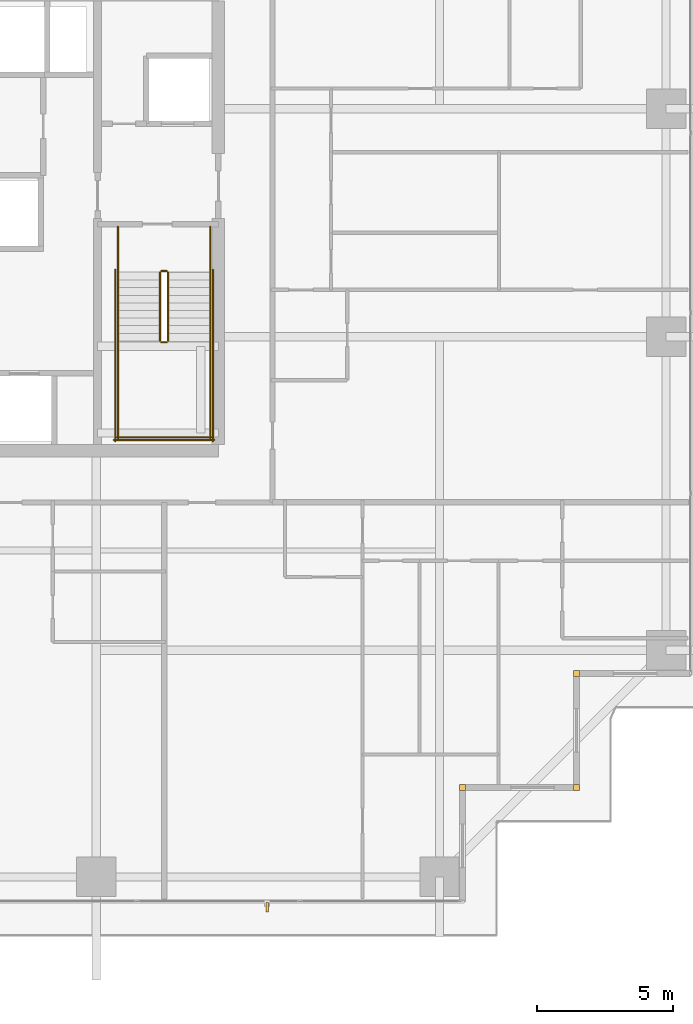
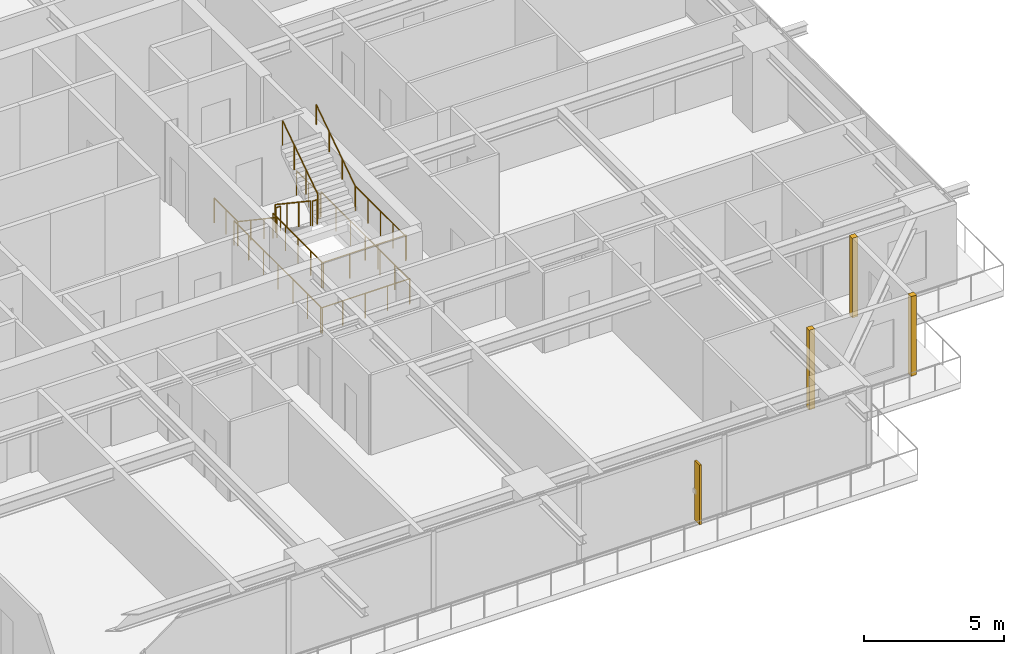
# One storey, part 34 of 36: 14 railings, 3 coverings, 1 shading device.
"""IFC4 building model written with IfcOpenShell, lengths in metres."""

from ifc_helpers import new_model, si_unit, direction, frame, origin, origin_2d, place, context, subcontext, project, spatial, rectangle, circle, extrude, source, transform, mapped, material, layer, layer_set, type_object, element, save


model = new_model("IFC4")

# Units and contexts
model_context = context("Model", 3, precision=1e-05, world=origin(), true_north=direction((0.0, 1.0)))
body_context = subcontext(model_context, "Body", "Model", "MODEL_VIEW")
ifc_project = project(units=[si_unit("LENGTHUNIT", "METRE"), si_unit("AREAUNIT", "SQUARE_METRE"), si_unit("VOLUMEUNIT", "CUBIC_METRE"), si_unit("PLANEANGLEUNIT", "RADIAN"), si_unit("MASSUNIT", "GRAM", prefix="KILO")], contexts=[model_context])

# Site, building, storey
site_placement = place(None, origin())
site = spatial("IfcSite", under=ifc_project, at=site_placement, CompositionType="ELEMENT")
building_placement = place(site_placement, origin())
building = spatial("IfcBuilding", under=site, at=building_placement, Name="Serunith Strait Residences", CompositionType="ELEMENT")
storey_placement = place(building_placement, frame((0.0, 0.0, 86.699951171875)))
storey = spatial("IfcBuildingStorey", under=building, at=storey_placement, Name="L21", CompositionType="ELEMENT", Elevation=86.699951171875)

# Railings
ifc_material_1 = material(Name="Brushed stainless steel 316L", Category="steel")
railing_type_1 = type_object("IfcRailingType", Name="RLG-STAIR-GUARD", PredefinedType="BALUSTRADE", material=ifc_material_1)
railing_1_placement = place(storey_placement, frame((39.25, 23.3701171875, 0.1875)))
element("IfcRailing", 1, at=railing_1_placement, inside=storey, type_object=railing_type_1, Name="L21 ST-2 stair guard 1", PredefinedType="BALUSTRADE", context=body_context, shape_type="SweptSolid", body=[
    extrude(circle(Radius=0.02392578125, at=origin_2d()), frame((0.0, -0.001708984375, 1.0771484375), z_axis=(0.0, -0.830909170722, 0.55640807867), x_axis=(1.0, 0.0, 0.0)), (0.0, 0.0, 1.0), 3.02880859375),
    extrude(circle(Radius=0.02099609375, at=origin_2d()), origin(), (0.0, 0.0, 1.0), 1.050048828125),
    extrude(circle(Radius=0.02099609375, at=origin_2d()), frame((0.0, -0.840087890625, 0.5625)), (0.0, 0.0, 1.0), 1.050048828125),
    extrude(circle(Radius=0.02099609375, at=origin_2d()), frame((0.0, -1.679931640625, 1.125)), (0.0, 0.0, 1.0), 1.050048828125),
    extrude(circle(Radius=0.02099609375, at=origin_2d()), frame((0.0, -2.52001953125, 1.6875)), (0.0, 0.0, 1.0), 1.050048828125),
])
railing_2_placement = place(storey_placement, frame((39.300048828125, 20.800048828125, 1.875)))
element("IfcRailing", 2, at=railing_2_placement, inside=storey, type_object=railing_type_1, Name="L21 ST-2 stair guard 2", PredefinedType="BALUSTRADE", context=body_context, shape_type="SweptSolid", body=[
    extrude(circle(Radius=0.02392578125, at=origin_2d()), frame((0.001953125, 0.0, 1.076171875), z_axis=(1.0, 0.0, 0.0), x_axis=(0.0, 1.0, 0.0)), (0.0, 0.0, 1.0), 0.196044921875),
    extrude(circle(Radius=0.02099609375, at=origin_2d()), origin(), (0.0, 0.0, 1.0), 1.050048828125),
    extrude(circle(Radius=0.02099609375, at=origin_2d()), frame((0.199951171875, 0.0, 0.0)), (0.0, 0.0, 1.0), 1.050048828125),
])
for number, where, name in (
    (3, (37.699951171875, 20.85009765625, 1.875), "L21 ST-2 stair guard 3"),
    (4, (41.10009765625, 20.85009765625, 1.875), "L21 ST-2 stair guard 4"),
):
    element("IfcRailing", number, at=place(storey_placement, frame(where)), inside=storey, type_object=railing_type_1, Name=name, PredefinedType="BALUSTRADE", context=body_context, shape_type="SweptSolid", body=[
        extrude(circle(Radius=0.02392578125, at=origin_2d()), frame((0.0, -0.001953125, 1.076171875), z_axis=(0.0, -1.0, 0.0), x_axis=(1.0, 0.0, 0.0)), (0.0, 0.0, 1.0), 3.59619140625),
        extrude(circle(Radius=0.02099609375, at=origin_2d()), origin(), (0.0, 0.0, 1.0), 1.050048828125),
        extrude(circle(Radius=0.02099609375, at=origin_2d()), frame((0.0, -0.89990234375, 0.0)), (0.0, 0.0, 1.0), 1.050048828125),
        extrude(circle(Radius=0.02099609375, at=origin_2d()), frame((0.0, -1.800048828125, 0.0)), (0.0, 0.0, 1.0), 1.050048828125),
        extrude(circle(Radius=0.02099609375, at=origin_2d()), frame((0.0, -2.7001953125, 0.0)), (0.0, 0.0, 1.0), 1.050048828125),
        extrude(circle(Radius=0.02099609375, at=origin_2d()), frame((0.0, -3.60009765625, 0.0)), (0.0, 0.0, 1.0), 1.050048828125),
    ])
railing_3_placement = place(storey_placement, frame((37.64990234375, 17.300048828125, 1.875)))
element("IfcRailing", 5, at=railing_3_placement, inside=storey, type_object=railing_type_1, Name="L21 ST-2 stair guard 5", PredefinedType="BALUSTRADE", context=body_context, shape_type="SweptSolid", body=[
    extrude(circle(Radius=0.02392578125, at=origin_2d()), frame((0.001953125, 0.0, 1.076171875), z_axis=(1.0, 0.0, 0.0), x_axis=(0.0, 1.0, 0.0)), (0.0, 0.0, 1.0), 3.49609375),
    extrude(circle(Radius=0.02099609375, at=origin_2d()), origin(), (0.0, 0.0, 1.0), 1.050048828125),
    extrude(circle(Radius=0.02099609375, at=origin_2d()), frame((1.166748046875, 0.0, 0.0)), (0.0, 0.0, 1.0), 1.050048828125),
    extrude(circle(Radius=0.02099609375, at=origin_2d()), frame((2.333251953125, 0.0, 0.0)), (0.0, 0.0, 1.0), 1.050048828125),
    extrude(circle(Radius=0.02099609375, at=origin_2d()), frame((3.5, 0.0, 0.0)), (0.0, 0.0, 1.0), 1.050048828125),
])
railing_4_placement = place(storey_placement, frame((39.550048828125, 20.85009765625, 2.0625)))
element("IfcRailing", 6, at=railing_4_placement, inside=storey, type_object=railing_type_1, Name="L21 ST-2 stair guard 6", PredefinedType="BALUSTRADE", context=body_context, shape_type="SweptSolid", body=[
    extrude(circle(Radius=0.02392578125, at=origin_2d()), frame((0.0, 0.001708984375, 1.0771484375), z_axis=(0.0, 0.830909170722, 0.55640807867), x_axis=(-1.0, 0.0, 0.0)), (0.0, 0.0, 1.0), 3.02880859375),
    extrude(circle(Radius=0.02099609375, at=origin_2d()), origin(), (0.0, 0.0, 1.0), 1.050048828125),
    extrude(circle(Radius=0.02099609375, at=origin_2d()), frame((0.0, 0.840087890625, 0.5625)), (0.0, 0.0, 1.0), 1.050048828125),
    extrude(circle(Radius=0.02099609375, at=origin_2d()), frame((0.0, 1.679931640625, 1.125)), (0.0, 0.0, 1.0), 1.050048828125),
    extrude(circle(Radius=0.02099609375, at=origin_2d()), frame((0.0, 2.52001953125, 1.6875)), (0.0, 0.0, 1.0), 1.050048828125),
])
railing_5_placement = place(storey_placement, frame((39.300048828125, 23.419921875, 0.0)))
element("IfcRailing", 7, at=railing_5_placement, inside=storey, type_object=railing_type_1, Name="L21 ST-2 stair guard 7", PredefinedType="BALUSTRADE", context=body_context, shape_type="SweptSolid", body=[
    extrude(circle(Radius=0.02392578125, at=origin_2d()), frame((0.001953125, 0.0, 1.076171875), z_axis=(1.0, 0.0, 0.0), x_axis=(0.0, 1.0, 0.0)), (0.0, 0.0, 1.0), 0.196044921875),
    extrude(circle(Radius=0.02099609375, at=origin_2d()), origin(), (0.0, 0.0, 1.0), 1.050048828125),
    extrude(circle(Radius=0.02099609375, at=origin_2d()), frame((0.199951171875, 0.0, 0.0)), (0.0, 0.0, 1.0), 1.050048828125),
])
for number, where, name in (
    (8, (37.699951171875, 25.050048828125, 0.0), "L21 ST-2 stair guard 8"),
    (9, (41.10009765625, 25.050048828125, 0.0), "L21 ST-2 stair guard 9"),
):
    element("IfcRailing", number, at=place(storey_placement, frame(where)), inside=storey, type_object=railing_type_1, Name=name, PredefinedType="BALUSTRADE", context=body_context, shape_type="SweptSolid", body=[
        extrude(circle(Radius=0.02392578125, at=origin_2d()), frame((0.0, -0.001953125, 1.076171875), z_axis=(0.0, -1.0, 0.0), x_axis=(1.0, 0.0, 0.0)), (0.0, 0.0, 1.0), 1.676025390625),
        extrude(circle(Radius=0.02099609375, at=origin_2d()), origin(), (0.0, 0.0, 1.0), 1.050048828125),
        extrude(circle(Radius=0.02099609375, at=origin_2d()), frame((0.0, -0.83984375, 0.0)), (0.0, 0.0, 1.0), 1.050048828125),
        extrude(circle(Radius=0.02099609375, at=origin_2d()), frame((0.0, -1.679931640625, 0.0)), (0.0, 0.0, 1.0), 1.050048828125),
    ])
for number, where, name in (
    (10, (37.60009765625, 23.469970703125, 0.0), "L21 ST-2 stair guard 10"),
    (11, (41.199951171875, 23.469970703125, 0.0), "L21 ST-2 stair guard 11"),
):
    element("IfcRailing", number, at=place(storey_placement, frame(where)), inside=storey, type_object=railing_type_1, Name=name, PredefinedType="BALUSTRADE", context=body_context, shape_type="SweptSolid", body=[
        extrude(circle(Radius=0.02392578125, at=origin_2d()), frame((0.0, -0.001953125, 1.076171875), z_axis=(0.0, -1.0, 0.0), x_axis=(1.0, 0.0, 0.0)), (0.0, 0.0, 1.0), 6.316162109375),
        extrude(circle(Radius=0.02099609375, at=origin_2d()), origin(), (0.0, 0.0, 1.0), 1.050048828125),
        extrude(circle(Radius=0.02099609375, at=origin_2d()), frame((0.0, -1.05322265625, 0.0)), (0.0, 0.0, 1.0), 1.050048828125),
        extrude(circle(Radius=0.02099609375, at=origin_2d()), frame((0.0, -2.106689453125, 0.0)), (0.0, 0.0, 1.0), 1.050048828125),
        extrude(circle(Radius=0.02099609375, at=origin_2d()), frame((0.0, -3.16015625, 0.0)), (0.0, 0.0, 1.0), 1.050048828125),
        extrude(circle(Radius=0.02099609375, at=origin_2d()), frame((0.0, -4.21337890625, 0.0)), (0.0, 0.0, 1.0), 1.050048828125),
        extrude(circle(Radius=0.02099609375, at=origin_2d()), frame((0.0, -5.2666015625, 0.0)), (0.0, 0.0, 1.0), 1.050048828125),
        extrude(circle(Radius=0.02099609375, at=origin_2d()), frame((0.0, -6.320068359375, 0.0)), (0.0, 0.0, 1.0), 1.050048828125),
    ])
railing_6_placement = place(storey_placement, frame((37.550048828125, 17.199951171875, 0.0)))
element("IfcRailing", 12, at=railing_6_placement, inside=storey, type_object=railing_type_1, Name="L21 ST-2 stair guard 12", PredefinedType="BALUSTRADE", context=body_context, shape_type="SweptSolid", body=[
    extrude(circle(Radius=0.02392578125, at=origin_2d()), frame((0.001953125, 0.0, 1.076171875), z_axis=(1.0, 0.0, 0.0), x_axis=(0.0, 1.0, 0.0)), (0.0, 0.0, 1.0), 3.696044921875),
    extrude(circle(Radius=0.02099609375, at=origin_2d()), origin(), (0.0, 0.0, 1.0), 1.050048828125),
    extrude(circle(Radius=0.02099609375, at=origin_2d()), frame((0.925048828125, 0.0, 0.0)), (0.0, 0.0, 1.0), 1.050048828125),
    extrude(circle(Radius=0.02099609375, at=origin_2d()), frame((1.85009765625, 0.0, 0.0)), (0.0, 0.0, 1.0), 1.050048828125),
    extrude(circle(Radius=0.02099609375, at=origin_2d()), frame((2.77490234375, 0.0, 0.0)), (0.0, 0.0, 1.0), 1.050048828125),
    extrude(circle(Radius=0.02099609375, at=origin_2d()), frame((3.699951171875, 0.0, 0.0)), (0.0, 0.0, 1.0), 1.050048828125),
])
railing_type_2 = type_object("IfcRailingType", Name="RLG-STAIR-HR", PredefinedType="HANDRAIL", material=ifc_material_1)
railing_7_placement = place(storey_placement, frame((37.699951171875, 23.3701171875, 0.1875)))
element("IfcRailing", 13, at=railing_7_placement, inside=storey, type_object=railing_type_2, Name="L21 ST-2 stair handrail 1", PredefinedType="HANDRAIL", context=body_context, shape_type="SweptSolid", body=[
    extrude(circle(Radius=0.02392578125, at=origin_2d()), frame((0.0, -0.001708984375, 0.876953125), z_axis=(0.0, -0.830208209119, 0.557453432594), x_axis=(1.0, 0.0, 0.0)), (0.0, 0.0, 1.0), 3.36865234375),
    extrude(circle(Radius=0.02099609375, at=origin_2d()), origin(), (0.0, 0.0, 1.0), 0.849853515625),
    extrude(circle(Radius=0.02099609375, at=origin_2d()), frame((0.0, -0.933349609375, 0.626708984375)), (0.0, 0.0, 1.0), 0.849853515625),
    extrude(circle(Radius=0.02099609375, at=origin_2d()), frame((0.0, -1.86669921875, 1.25341796875)), (0.0, 0.0, 1.0), 0.849853515625),
    extrude(circle(Radius=0.02099609375, at=origin_2d()), frame((0.0, -2.800048828125, 1.880126953125)), (0.0, 0.0, 1.0), 0.849853515625),
])
railing_8_placement = place(storey_placement, frame((41.10009765625, 20.85009765625, 2.0625)))
element("IfcRailing", 14, at=railing_8_placement, inside=storey, type_object=railing_type_2, Name="L21 ST-2 stair handrail 2", PredefinedType="HANDRAIL", context=body_context, shape_type="SweptSolid", body=[
    extrude(circle(Radius=0.02392578125, at=origin_2d()), frame((0.0, 0.001708984375, 0.876953125), z_axis=(0.0, 0.830185712471, 0.557486935101), x_axis=(-1.0, 0.0, 0.0)), (0.0, 0.0, 1.0), 3.368408203125),
    extrude(circle(Radius=0.02099609375, at=origin_2d()), origin(), (0.0, 0.0, 1.0), 0.849853515625),
    extrude(circle(Radius=0.02099609375, at=origin_2d()), frame((0.0, 0.933349609375, 0.626708984375)), (0.0, 0.0, 1.0), 0.849853515625),
    extrude(circle(Radius=0.02099609375, at=origin_2d()), frame((0.0, 1.866455078125, 1.25341796875)), (0.0, 0.0, 1.0), 0.849853515625),
    extrude(circle(Radius=0.02099609375, at=origin_2d()), frame((0.0, 2.7998046875, 1.880126953125)), (0.0, 0.0, 1.0), 0.849853515625),
])

# Coverings
ifc_material_2 = material(Name="Pale-Champagne Anodised Aluminium", Category="aluminium")
ifc_layer = layer(ifc_material_2, 0.219970703125, Name="Pale-Champagne Anodised Aluminium")
ifc_layer_set = layer_set([ifc_layer], Name="Pale-Champagne Anodised Aluminium")
covering_type = type_object("IfcCoveringType", Name="COV-CORN-TRIM", PredefinedType="CLADDING", material=ifc_layer_set)
shared_shape_1 = source(origin(), body_context, "Body", "SweptSolid", [
    extrude(rectangle(XDim=0.221923828125, YDim=0.221923828125, at=origin_2d()), origin(), (0.0, 0.0, 1.0), 3.47509765625),
])
for number, where, z_axis, x_axis, name in (
    (15, (50.39990234375, 4.39990234375, 0.0), (0.0, 0.0, 1.0), (1.0, 0.0, 0.0), "L21 Girih Serrated Corner Trim Post 02"),
    (16, (54.60009765625, 4.39990234375, 0.0), (0.0, 0.0, 1.0), (1.0, 0.0, 0.0), "L21 Girih Serrated Corner Trim Post 03"),
    (17, (54.60009765625, 8.60009765625, 0.0), (0.0, 0.0, 1.0), (1.0, 0.0, 0.0), "L21 Girih Serrated Corner Trim Post 04"),
):
    element("IfcCovering", number, at=place(storey_placement, frame(where, z_axis=z_axis, x_axis=x_axis)), inside=storey, type_object=covering_type, Name=name, PredefinedType="CLADDING", context=body_context, shape_type="MappedRepresentation", body=[
        mapped(shared_shape_1, transform((0.0, 0.0, 0.0), scale=1.0)),
    ])

# Shading device
ifc_material_3 = material(Name="Pale-Champagne Perforated Aluminium Fin", Category="aluminium")
shading_device_type = type_object("IfcShadingDeviceType", Name="SHD-DIAG-FIN", PredefinedType="AWNING", material=ifc_material_3)
shared_shape_2 = source(origin(), body_context, "Body", "SweptSolid", [
    extrude(rectangle(XDim=0.080078125, YDim=0.35009765625, at=origin_2d()), origin(), (0.0, 0.0, 1.0), 2.60009765625),
])
shading_device_placement = place(storey_placement, frame((43.199951171875, -0.02001953125, 0.199951171875), z_axis=(0.0, 0.0, 1.0), x_axis=(1.0, 0.0, 0.0)))
element("IfcShadingDevice", 18, at=shading_device_placement, inside=storey, type_object=shading_device_type, Name="L21 Diagonal Rhythm Solar Fin S", PredefinedType="AWNING", context=body_context, shape_type="MappedRepresentation", body=[
    mapped(shared_shape_2, transform((0.0, 0.0, 0.0), scale=1.0)),
])

save(model, "model.ifc")
